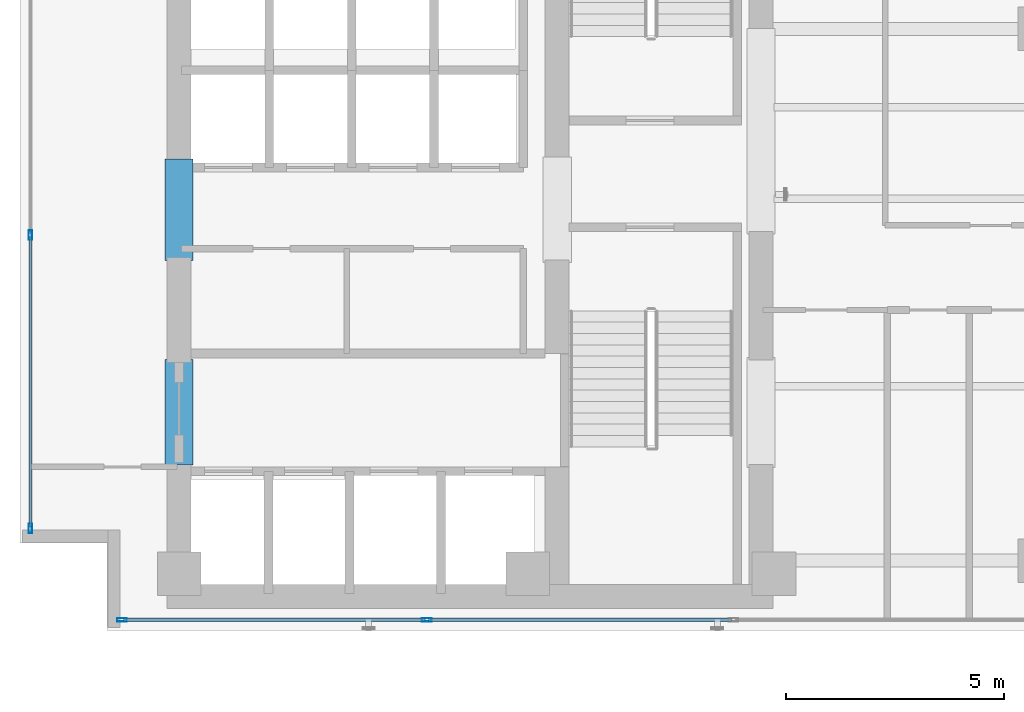
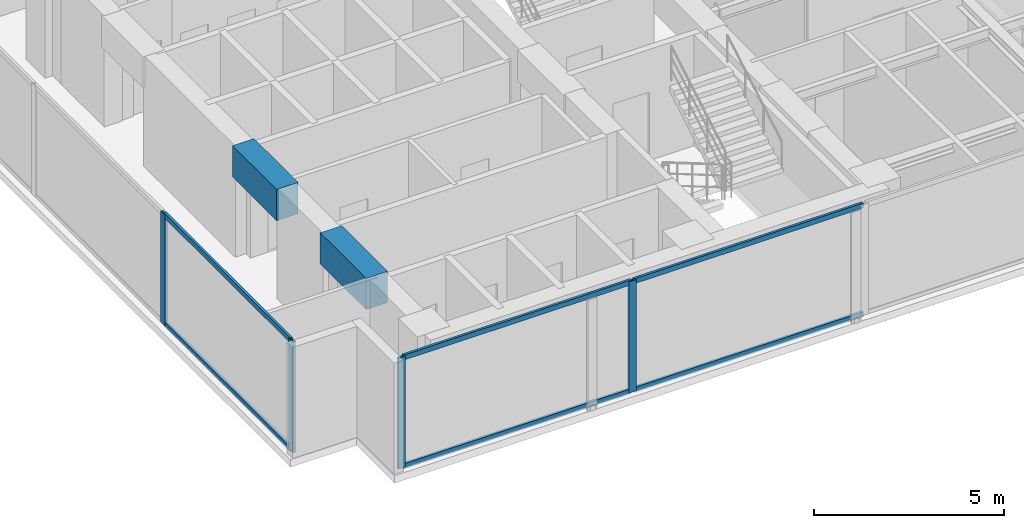
# One storey, part 2 of 25: 10 members, 2 beams, 2 elements without a shape of their own.
"""IFC4 building model written with IfcOpenShell, lengths in metres."""

from ifc_helpers import new_model, si_unit, direction, frame, origin, origin_with_axes, origin_2d, place, context, subcontext, project, spatial, rectangle, hollow_rectangle, extrude, source, transform, mapped, material, layer, layer_set, material_profile, profile_set, type_object, element, aggregate, save


model = new_model("IFC4")

# Units and contexts
model_context = context("Model", 3, precision=1e-05, world=origin(), true_north=direction((0.0, 1.0)))
body_context = subcontext(model_context, "Body", "Model", "MODEL_VIEW")
ifc_project = project(units=[si_unit("LENGTHUNIT", "METRE"), si_unit("AREAUNIT", "SQUARE_METRE"), si_unit("VOLUMEUNIT", "CUBIC_METRE"), si_unit("PLANEANGLEUNIT", "RADIAN"), si_unit("MASSUNIT", "GRAM", prefix="KILO")], contexts=[model_context])

# Site, building, storey
site_placement = place(None, origin())
site = spatial("IfcSite", under=ifc_project, at=site_placement, CompositionType="ELEMENT")
building_placement = place(site_placement, origin())
building = spatial("IfcBuilding", under=site, at=building_placement, Name="Kolvaren Waterfront Exchange", CompositionType="ELEMENT")
storey_placement = place(building_placement, frame((0.0, 0.0, 204.5)))
storey = spatial("IfcBuildingStorey", under=building, at=storey_placement, Name="L52", CompositionType="ELEMENT", Elevation=204.5)

# Beams
ifc_material_1 = material(Name="Concrete C60/75", Category="concrete")
ifc_material_profile_1 = material_profile(ifc_material_1, rectangle(XDim=0.64990234375, YDim=1.0, at=origin_2d()), Name="RC-CB-1000x650")
ifc_profile_set_1 = profile_set([ifc_material_profile_1], Name="Concrete C60/75")
beam_type = type_object("IfcBeamType", Name="STR-CB-1000", PredefinedType="SPANDREL", material=ifc_profile_set_1)
beam_1_placement = place(storey_placement, frame((7.449951171875, 7.389892578125, 3.06005859375), z_axis=(0.0, 1.0, 0.0), x_axis=(-1.0, 0.0, 0.0)))
element("IfcBeam", 1, at=beam_1_placement, inside=storey, type_object=beam_type, Name="L52 core coupling beam 3", PredefinedType="SPANDREL", context=body_context, shape_type="SweptSolid", body=[
    extrude(rectangle(XDim=0.64990234375, YDim=1.0, at=origin_2d()), origin(), (0.0, 0.0, 1.0), 2.420166015625),
])
beam_2_placement = place(storey_placement, frame((7.449951171875, 12.090087890625, 3.06005859375), z_axis=(0.0, 1.0, 0.0), x_axis=(-1.0, 0.0, 0.0)))
element("IfcBeam", 2, at=beam_2_placement, inside=storey, type_object=beam_type, Name="L52 core coupling beam 4", PredefinedType="SPANDREL", context=body_context, shape_type="SweptSolid", body=[
    extrude(rectangle(XDim=0.64990234375, YDim=1.0, at=origin_2d()), origin(), (0.0, 0.0, 1.0), 2.31982421875),
])

# Curtain wall, members
ifc_material_2 = material(Name="Anodised bronze aluminium 6063-T6", Category="aluminium")
ifc_layer_1 = layer(ifc_material_2, 0.219970703125, Name="Anodised bronze aluminium 6063-T6")
ifc_layer_set_1 = layer_set([ifc_layer_1], Name="Anodised bronze aluminium 6063-T6")
curtain_wall_type_1 = type_object("IfcCurtainWallType", Name="ARC-CW-SYS1", PredefinedType="USERDEFINED", material=ifc_layer_set_1)
curtain_wall_1_placement = place(storey_placement, origin())
curtain_wall_1 = element("IfcCurtainWall", 3, at=curtain_wall_1_placement, inside=storey, type_object=curtain_wall_type_1, Name="L52 stick curtain wall CW1 (CW-L52-S)", ObjectType="STICK CURTAIN WALL", PredefinedType="USERDEFINED")
ifc_material_3 = material(Name="Anodised aluminium 6063-T6", Category="aluminium")
ifc_material_profile_2 = material_profile(ifc_material_3, hollow_rectangle(XDim=0.080078125, YDim=0.219970703125, WallThickness=0.0048828125, at=origin_2d()), Name="ALU-MUL-220x80x5")
ifc_profile_set_2 = profile_set([ifc_material_profile_2], Name="Anodised aluminium 6063-T6")
member_type_1 = type_object("IfcMemberType", Name="ARC-CWM-220", PredefinedType="MULLION", material=ifc_profile_set_2)
shared_shape_1 = source(origin_with_axes(), body_context, "Body", "SweptSolid", [
    extrude(hollow_rectangle(XDim=0.080078125, YDim=0.219970703125, WallThickness=0.0048828125, at=origin_2d()), origin(), (0.0, 0.0, 1.0), 3.56005859375),
])
member_1_placement = place(storey_placement, frame((6.139892578125, 3.840087890625, 0.0), z_axis=(0.0, 0.0, 1.0), x_axis=(0.0, 1.0, 0.0)))
member_1 = element("IfcMember", 4, at=member_1_placement, type_object=member_type_1, Name="CW1 mullion 1", PredefinedType="MULLION", context=body_context, shape_type="MappedRepresentation", body=[
    mapped(shared_shape_1, transform((0.0, 0.0, 0.0), x_axis=(1.0, 0.0, 0.0), y_axis=(0.0, 1.0, 0.0), z_axis=(0.0, 0.0, 1.0), scale=1.0)),
])
member_2_placement = place(storey_placement, frame((13.13330078125, 3.840087890625, 0.0), z_axis=(0.0, 0.0, 1.0), x_axis=(0.0, 1.0, 0.0)))
member_2 = element("IfcMember", 5, at=member_2_placement, type_object=member_type_1, Name="CW1 mullion 2", PredefinedType="MULLION", context=body_context, shape_type="MappedRepresentation", body=[
    mapped(shared_shape_1, transform((0.0, 0.0, 0.0), x_axis=(1.0, 0.0, 0.0), y_axis=(0.0, 1.0, 0.0), z_axis=(0.0, 0.0, 1.0), scale=1.0)),
])

ifc_layer_2 = layer(ifc_material_3, 0.219970703125, Name="Anodised aluminium 6063-T6")
ifc_layer_set_2 = layer_set([ifc_layer_2], Name="Anodised aluminium 6063-T6")
curtain_wall_type_2 = type_object("IfcCurtainWallType", Name="ARC-CW-SYS2", PredefinedType="USERDEFINED", material=ifc_layer_set_2)
curtain_wall_2_placement = place(storey_placement, origin())
curtain_wall_2 = element("IfcCurtainWall", 6, at=curtain_wall_2_placement, inside=storey, type_object=curtain_wall_type_2, Name="L52 stick curtain wall CW2 (CW-L52-W)", ObjectType="STICK CURTAIN WALL", PredefinedType="USERDEFINED")
member_3_placement = place(storey_placement, frame((4.0400390625, 5.93994140625, 0.0), z_axis=(0.0, 0.0, 1.0), x_axis=(-1.0, 0.0, 0.0)))
member_3 = element("IfcMember", 7, at=member_3_placement, type_object=member_type_1, Name="CW2 mullion 1", PredefinedType="MULLION", context=body_context, shape_type="MappedRepresentation", body=[
    mapped(shared_shape_1, transform((0.0, 0.0, 0.0), x_axis=(1.0, 0.0, 0.0), y_axis=(0.0, 1.0, 0.0), z_axis=(0.0, 0.0, 1.0), scale=1.0)),
])
member_4_placement = place(storey_placement, frame((4.0400390625, 12.666748046875, 0.0), z_axis=(0.0, 0.0, 1.0), x_axis=(-1.0, 0.0, 0.0)))
member_4 = element("IfcMember", 8, at=member_4_placement, type_object=member_type_1, Name="CW2 mullion 2", PredefinedType="MULLION", context=body_context, shape_type="MappedRepresentation", body=[
    mapped(shared_shape_1, transform((0.0, 0.0, 0.0), x_axis=(1.0, 0.0, 0.0), y_axis=(0.0, 1.0, 0.0), z_axis=(0.0, 0.0, 1.0), scale=1.0)),
])
ifc_material_profile_3 = material_profile(ifc_material_3, hollow_rectangle(XDim=0.074951171875, YDim=0.159912109375, WallThickness=0.00439453125, at=origin_2d()), Name="ALU-TRN-160x75x4.5")
ifc_profile_set_3 = profile_set([ifc_material_profile_3], Name="Anodised aluminium 6063-T6")
member_type_2 = type_object("IfcMemberType", Name="ARC-CWT-160", PredefinedType="USERDEFINED", material=ifc_profile_set_3)
shared_shape_2 = source(origin_with_axes(), body_context, "Body", "SweptSolid", [
    extrude(hollow_rectangle(XDim=0.074951171875, YDim=0.159912109375, WallThickness=0.00439453125, at=origin_2d()), origin(), (0.0, 0.0, 1.0), 6.646728515625),
])
member_5_placement = place(storey_placement, frame((4.0400390625, 5.97998046875, 0.03759765625), z_axis=(0.0, 1.0, 0.0), x_axis=(-1.0, 0.0, 0.0)))
member_5 = element("IfcMember", 9, at=member_5_placement, type_object=member_type_2, Name="CW2 transom 1.1", ObjectType="TRANSOM", PredefinedType="USERDEFINED", context=body_context, shape_type="MappedRepresentation", body=[
    mapped(shared_shape_2, transform((0.0, 0.0, 0.0), x_axis=(1.0, 0.0, 0.0), y_axis=(0.0, 1.0, 0.0), z_axis=(0.0, 0.0, 1.0), scale=1.0)),
])
member_6_placement = place(storey_placement, frame((4.0400390625, 5.97998046875, 3.5224609375), z_axis=(0.0, 1.0, 0.0), x_axis=(-1.0, 0.0, 0.0)))
member_6 = element("IfcMember", 10, at=member_6_placement, type_object=member_type_2, Name="CW2 transom 1.2", ObjectType="TRANSOM", PredefinedType="USERDEFINED", context=body_context, shape_type="MappedRepresentation", body=[
    mapped(shared_shape_2, transform((0.0, 0.0, 0.0), x_axis=(1.0, 0.0, 0.0), y_axis=(0.0, 1.0, 0.0), z_axis=(0.0, 0.0, 1.0), scale=1.0)),
])
aggregate(curtain_wall_2, [member_3, member_4, member_5, member_6])

# Member
shared_shape_3 = source(origin_with_axes(), body_context, "Body", "SweptSolid", [
    extrude(hollow_rectangle(XDim=0.074951171875, YDim=0.159912109375, WallThickness=0.00439453125, at=origin_2d()), origin(), (0.0, 0.0, 1.0), 6.913330078125),
])
member_7_placement = place(storey_placement, frame((6.179931640625, 3.840087890625, 0.03759765625), z_axis=(1.0, 0.0, 0.0), x_axis=(0.0, 1.0, 0.0)))
member_7 = element("IfcMember", 11, at=member_7_placement, type_object=member_type_2, Name="CW1 transom 1.1", ObjectType="TRANSOM", PredefinedType="USERDEFINED", context=body_context, shape_type="MappedRepresentation", body=[
    mapped(shared_shape_3, transform((0.0, 0.0, 0.0), x_axis=(1.0, 0.0, 0.0), y_axis=(0.0, 1.0, 0.0), z_axis=(0.0, 0.0, 1.0), scale=1.0)),
])

member_8_placement = place(storey_placement, frame((6.179931640625, 3.840087890625, 3.5224609375), z_axis=(1.0, 0.0, 0.0), x_axis=(0.0, 1.0, 0.0)))
member_8 = element("IfcMember", 12, at=member_8_placement, type_object=member_type_2, Name="CW1 transom 1.2", ObjectType="TRANSOM", PredefinedType="USERDEFINED", context=body_context, shape_type="MappedRepresentation", body=[
    mapped(shared_shape_3, transform((0.0, 0.0, 0.0), x_axis=(1.0, 0.0, 0.0), y_axis=(0.0, 1.0, 0.0), z_axis=(0.0, 0.0, 1.0), scale=1.0)),
])

shared_shape_4 = source(origin_with_axes(), body_context, "Body", "SweptSolid", [
    extrude(hollow_rectangle(XDim=0.074951171875, YDim=0.159912109375, WallThickness=0.00439453125, at=origin_2d()), origin(), (0.0, 0.0, 1.0), 6.953369140625),
])
member_9_placement = place(storey_placement, frame((13.17333984375, 3.840087890625, 0.03759765625), z_axis=(1.0, 0.0, 0.0), x_axis=(0.0, 1.0, 0.0)))
member_9 = element("IfcMember", 13, at=member_9_placement, type_object=member_type_2, Name="CW1 transom 2.1", ObjectType="TRANSOM", PredefinedType="USERDEFINED", context=body_context, shape_type="MappedRepresentation", body=[
    mapped(shared_shape_4, transform((0.0, 0.0, 0.0), x_axis=(1.0, 0.0, 0.0), y_axis=(0.0, 1.0, 0.0), z_axis=(0.0, 0.0, 1.0), scale=1.0)),
])

member_10_placement = place(storey_placement, frame((13.17333984375, 3.840087890625, 3.5224609375), z_axis=(1.0, 0.0, 0.0), x_axis=(0.0, 1.0, 0.0)))
member_10 = element("IfcMember", 14, at=member_10_placement, type_object=member_type_2, Name="CW1 transom 2.2", ObjectType="TRANSOM", PredefinedType="USERDEFINED", context=body_context, shape_type="MappedRepresentation", body=[
    mapped(shared_shape_4, transform((0.0, 0.0, 0.0), x_axis=(1.0, 0.0, 0.0), y_axis=(0.0, 1.0, 0.0), z_axis=(0.0, 0.0, 1.0), scale=1.0)),
])

aggregate(curtain_wall_1, [member_1, member_2, member_7, member_8, member_9, member_10])

save(model, "model.ifc")
